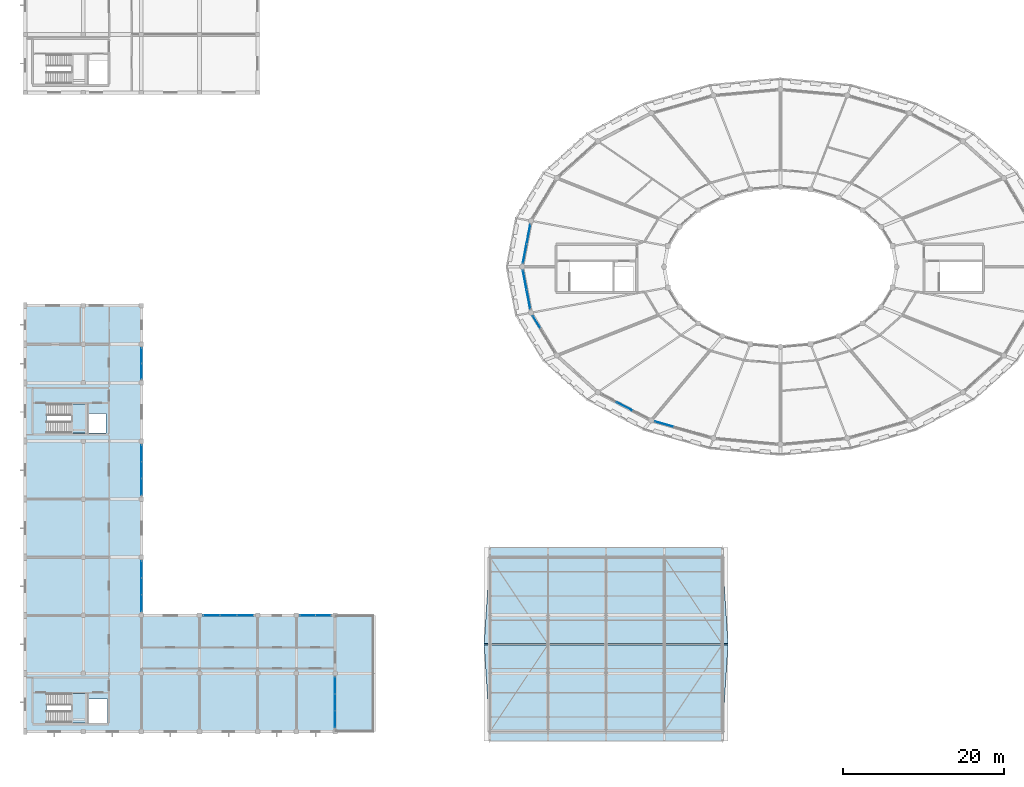
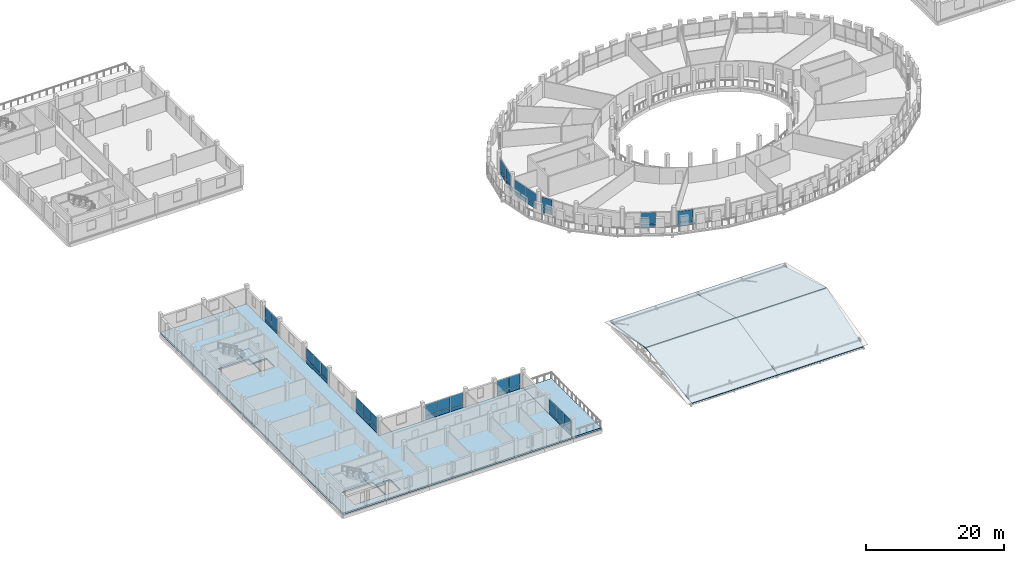
# One storey, part 60 of 84: 46 plates, 8 slabs, 13 elements without a shape of their own.
"""IFC4 building model written with IfcOpenShell, lengths in metres."""

from ifc_helpers import new_model, si_unit, direction, frame, origin, origin_2d, place, context, subcontext, project, spatial, polyline, rectangle, outline, extrude, material, layer, layer_set, type_object, element, aggregate, save


model = new_model("IFC4")

# Units and contexts
model_context = context("Model", 3, precision=1e-05, world=origin(), true_north=direction((0.0, 1.0)))
body_context = subcontext(model_context, "Body", "Model", "MODEL_VIEW")
ifc_project = project(units=[si_unit("LENGTHUNIT", "METRE"), si_unit("AREAUNIT", "SQUARE_METRE"), si_unit("VOLUMEUNIT", "CUBIC_METRE"), si_unit("PLANEANGLEUNIT", "RADIAN"), si_unit("MASSUNIT", "GRAM", prefix="KILO")], contexts=[model_context])

# Site, building, storey
site_placement = place(None, origin())
site = spatial("IfcSite", under=ifc_project, at=site_placement, CompositionType="ELEMENT")
building_placement = place(site_placement, origin())
building = spatial("IfcBuilding", under=site, at=building_placement, Name="Zornivar Specialist Clinic", CompositionType="ELEMENT")
storey_placement = place(building_placement, frame((0.0, 0.0, 12.300048828125)))
storey = spatial("IfcBuildingStorey", under=building, at=storey_placement, Name="L03", CompositionType="ELEMENT", Elevation=12.300048828125)

# Curtain wall, plate
ifc_material_1 = material(Name="Aluminium and Low-E Glass Curtain Wall", Category="aluminium")
curtain_wall_type_1 = type_object("IfcCurtainWallType", Name="CW-DRUM-FACET", PredefinedType="NOTDEFINED", material=ifc_material_1)
curtain_wall_1_placement = place(storey_placement, origin())
curtain_wall_1 = element("IfcCurtainWall", 1, at=curtain_wall_1_placement, inside=storey, type_object=curtain_wall_type_1, Name="cw:V1:L03:c15", PredefinedType="NOTDEFINED")
ifc_material_2 = material(Name="Insulated Bronze Spandrel Panel")
ifc_layer_1 = layer(ifc_material_2, 0.048095703125)
ifc_layer_set_1 = layer_set([ifc_layer_1], Name="Insulated Bronze Spandrel Panel")
plate_type_1 = type_object("IfcPlateType", Name="CWP-SPN-A", PredefinedType="CURTAIN_PANEL", material=ifc_layer_set_1)
plate_1_placement = place(storey_placement, frame((74.287109375, 40.2958984375, 0.030517578125), z_axis=(0.0, 0.0, 1.0), x_axis=(0.884383019078, -0.46676190458, 0.0)))
plate_1 = element("IfcPlate", 2, at=plate_1_placement, type_object=plate_type_1, Name="cw:V1:L03:c15:spn:1", PredefinedType="CURTAIN_PANEL", context=body_context, shape_type="SweptSolid", body=[
    extrude(rectangle(XDim=2.10791015625, YDim=0.048095703125, at=origin_2d()), origin(), (0.0, 0.0, 1.0), 0.6708984375),
])

curtain_wall_2_placement = place(storey_placement, origin())
curtain_wall_2 = element("IfcCurtainWall", 3, at=curtain_wall_2_placement, inside=storey, type_object=curtain_wall_type_1, Name="cw:V1:L03:c16", PredefinedType="NOTDEFINED")
ifc_material_3 = material(Name="Insulated Bronze Spandrel Panel")
ifc_layer_2 = layer(ifc_material_3, 0.048095703125)
ifc_layer_set_2 = layer_set([ifc_layer_2], Name="Insulated Bronze Spandrel Panel")
plate_type_2 = type_object("IfcPlateType", Name="CWP-SPN-B", PredefinedType="CURTAIN_PANEL", material=ifc_layer_set_2)
plate_2_placement = place(storey_placement, frame((79.194091796875, 38.093994140625, 0.030517578125), z_axis=(0.0, 0.0, 1.0), x_axis=(0.961761244933, -0.273889225319, 0.0)))
plate_2 = element("IfcPlate", 4, at=plate_2_placement, type_object=plate_type_2, Name="cw:V1:L03:c16:spn:0", PredefinedType="CURTAIN_PANEL", context=body_context, shape_type="SweptSolid", body=[
    extrude(rectangle(XDim=2.284912109375, YDim=0.048095703125, at=origin_2d()), origin(), (0.0, 0.0, 1.0), 0.6708984375),
])

# Curtain wall, plates
curtain_wall_3_placement = place(storey_placement, origin())
curtain_wall_3 = element("IfcCurtainWall", 5, at=curtain_wall_3_placement, inside=storey, type_object=curtain_wall_type_1, Name="cw:V1:L03:c11", PredefinedType="NOTDEFINED")
ifc_material_4 = material(Name="Insulated Bronze Spandrel Panel")
ifc_layer_3 = layer(ifc_material_4, 0.048095703125)
ifc_layer_set_3 = layer_set([ifc_layer_3], Name="Insulated Bronze Spandrel Panel")
plate_type_3 = type_object("IfcPlateType", Name="CWP-SPN-C", PredefinedType="CURTAIN_PANEL", material=ifc_layer_set_3)
plate_3_placement = place(storey_placement, frame((62.3720703125, 61.635009765625, 0.030517578125), z_axis=(0.0, 0.0, 1.0), x_axis=(-0.187896976838, -0.982188742602, 0.0)))
plate_3 = element("IfcPlate", 6, at=plate_3_placement, type_object=plate_type_3, Name="cw:V1:L03:c11:spn:0", PredefinedType="CURTAIN_PANEL", context=body_context, shape_type="SweptSolid", body=[
    extrude(rectangle(XDim=2.34912109375, YDim=0.048095703125, at=origin_2d()), origin(), (0.0, 0.0, 1.0), 0.6708984375),
])
plate_4_placement = place(storey_placement, frame((61.9169921875, 59.259033203125, 0.030517578125), z_axis=(0.0, 0.0, 1.0), x_axis=(-0.187896976838, -0.982188742602, 0.0)))
plate_4 = element("IfcPlate", 7, at=plate_4_placement, type_object=plate_type_3, Name="cw:V1:L03:c11:spn:1", PredefinedType="CURTAIN_PANEL", context=body_context, shape_type="SweptSolid", body=[
    extrude(rectangle(XDim=2.34912109375, YDim=0.048095703125, at=origin_2d()), origin(), (0.0, 0.0, 1.0), 0.6708984375),
])

curtain_wall_4_placement = place(storey_placement, origin())
curtain_wall_4 = element("IfcCurtainWall", 8, at=curtain_wall_4_placement, inside=storey, type_object=curtain_wall_type_1, Name="cw:V1:L03:c12", PredefinedType="NOTDEFINED")
ifc_material_5 = material(Name="Insulated Limestone-Faced Spandrel Panel", Category="masonry")
ifc_layer_4 = layer(ifc_material_5, 0.05810546875)
ifc_layer_set_4 = layer_set([ifc_layer_4], Name="Insulated Limestone-Faced Spandrel Panel")
plate_type_4 = type_object("IfcPlateType", Name="CWP-SPN-D", PredefinedType="CURTAIN_PANEL", material=ifc_layer_set_4)
plate_5_placement = place(storey_placement, frame((61.91796875, 55.94091796875, 0.030517578125), z_axis=(0.0, 0.0, 1.0), x_axis=(0.187896976838, -0.982188742602, 0.0)))
plate_5 = element("IfcPlate", 9, at=plate_5_placement, type_object=plate_type_4, Name="cw:V1:L03:c12:spn:0", PredefinedType="CURTAIN_PANEL", context=body_context, shape_type="SweptSolid", body=[
    extrude(rectangle(XDim=2.34912109375, YDim=0.05810546875, at=origin_2d()), origin(), (0.0, 0.0, 1.0), 0.6708984375),
])
plate_6_placement = place(storey_placement, frame((62.373046875, 53.56494140625, 0.030517578125), z_axis=(0.0, 0.0, 1.0), x_axis=(0.187896976838, -0.982188742602, 0.0)))
plate_6 = element("IfcPlate", 10, at=plate_6_placement, type_object=plate_type_4, Name="cw:V1:L03:c12:spn:1", PredefinedType="CURTAIN_PANEL", context=body_context, shape_type="SweptSolid", body=[
    extrude(rectangle(XDim=2.34912109375, YDim=0.05810546875, at=origin_2d()), origin(), (0.0, 0.0, 1.0), 0.6708984375),
])

ifc_material_6 = material(Name="Aluminium and Low-E Glass Curtain Wall", Category="aluminium")
curtain_wall_type_2 = type_object("IfcCurtainWallType", Name="CW-REVAK-COURT", PredefinedType="NOTDEFINED", material=ifc_material_6)
curtain_wall_5_placement = place(storey_placement, origin())
curtain_wall_5 = element("IfcCurtainWall", 11, at=curtain_wall_5_placement, inside=storey, type_object=curtain_wall_type_2, Name="cw:V2:L03:06", PredefinedType="NOTDEFINED")
plate_7_placement = place(storey_placement, frame((38.39990234375, 1.52001953125, 0.02978515625), z_axis=(0.0, 0.0, 1.0), x_axis=(0.0, 1.0, 0.0)))
plate_7 = element("IfcPlate", 12, at=plate_7_placement, type_object=plate_type_4, Name="cw:V2:L03:06:spn:0", PredefinedType="CURTAIN_PANEL", context=body_context, shape_type="SweptSolid", body=[
    extrude(rectangle(XDim=2.010009765625, YDim=0.05810546875, at=origin_2d()), origin(), (0.0, 0.0, 1.0), 0.657958984375),
])
plate_8_placement = place(storey_placement, frame((38.39990234375, 3.60009765625, 0.02978515625), z_axis=(0.0, 0.0, 1.0), x_axis=(0.0, 1.0, 0.0)))
plate_8 = element("IfcPlate", 13, at=plate_8_placement, type_object=plate_type_4, Name="cw:V2:L03:06:spn:1", PredefinedType="CURTAIN_PANEL", context=body_context, shape_type="SweptSolid", body=[
    extrude(rectangle(XDim=2.010009765625, YDim=0.05810546875, at=origin_2d()), origin(), (0.0, 0.0, 1.0), 0.657958984375),
])
plate_9_placement = place(storey_placement, frame((38.39990234375, 5.679931640625, 0.02978515625), z_axis=(0.0, 0.0, 1.0), x_axis=(0.0, 1.0, 0.0)))
plate_9 = element("IfcPlate", 14, at=plate_9_placement, type_object=plate_type_4, Name="cw:V2:L03:06:spn:2", PredefinedType="CURTAIN_PANEL", context=body_context, shape_type="SweptSolid", body=[
    extrude(rectangle(XDim=2.010009765625, YDim=0.05810546875, at=origin_2d()), origin(), (0.0, 0.0, 1.0), 0.657958984375),
])

curtain_wall_6_placement = place(storey_placement, origin())
curtain_wall_6 = element("IfcCurtainWall", 15, at=curtain_wall_6_placement, inside=storey, type_object=curtain_wall_type_2, Name="cw:V2:L03:08", PredefinedType="NOTDEFINED")
plate_10_placement = place(storey_placement, frame((36.9599609375, 14.39990234375, 0.02978515625), z_axis=(0.0, 0.0, 1.0), x_axis=(-1.0, 0.0, 0.0)))
plate_10 = element("IfcPlate", 16, at=plate_10_placement, type_object=plate_type_4, Name="cw:V2:L03:08:spn:0", PredefinedType="CURTAIN_PANEL", context=body_context, shape_type="SweptSolid", body=[
    extrude(rectangle(XDim=1.85009765625, YDim=0.05810546875, at=origin_2d()), origin(), (0.0, 0.0, 1.0), 0.657958984375),
])
plate_11_placement = place(storey_placement, frame((35.0400390625, 14.39990234375, 0.02978515625), z_axis=(0.0, 0.0, 1.0), x_axis=(-1.0, 0.0, 0.0)))
plate_11 = element("IfcPlate", 17, at=plate_11_placement, type_object=plate_type_4, Name="cw:V2:L03:08:spn:1", PredefinedType="CURTAIN_PANEL", context=body_context, shape_type="SweptSolid", body=[
    extrude(rectangle(XDim=1.85009765625, YDim=0.05810546875, at=origin_2d()), origin(), (0.0, 0.0, 1.0), 0.657958984375),
])

curtain_wall_7_placement = place(storey_placement, origin())
curtain_wall_7 = element("IfcCurtainWall", 18, at=curtain_wall_7_placement, inside=storey, type_object=curtain_wall_type_2, Name="cw:V2:L03:10", PredefinedType="NOTDEFINED")
plate_12_placement = place(storey_placement, frame((27.280029296875, 14.39990234375, 0.02978515625), z_axis=(0.0, 0.0, 1.0), x_axis=(-1.0, 0.0, 0.0)))
plate_12 = element("IfcPlate", 19, at=plate_12_placement, type_object=plate_type_4, Name="cw:V2:L03:10:spn:0", PredefinedType="CURTAIN_PANEL", context=body_context, shape_type="SweptSolid", body=[
    extrude(rectangle(XDim=2.010009765625, YDim=0.05810546875, at=origin_2d()), origin(), (0.0, 0.0, 1.0), 0.657958984375),
])
plate_13_placement = place(storey_placement, frame((25.199951171875, 14.39990234375, 0.02978515625), z_axis=(0.0, 0.0, 1.0), x_axis=(-1.0, 0.0, 0.0)))
plate_13 = element("IfcPlate", 20, at=plate_13_placement, type_object=plate_type_4, Name="cw:V2:L03:10:spn:1", PredefinedType="CURTAIN_PANEL", context=body_context, shape_type="SweptSolid", body=[
    extrude(rectangle(XDim=2.010009765625, YDim=0.05810546875, at=origin_2d()), origin(), (0.0, 0.0, 1.0), 0.657958984375),
])
plate_14_placement = place(storey_placement, frame((23.1201171875, 14.39990234375, 0.02978515625), z_axis=(0.0, 0.0, 1.0), x_axis=(-1.0, 0.0, 0.0)))
plate_14 = element("IfcPlate", 21, at=plate_14_placement, type_object=plate_type_4, Name="cw:V2:L03:10:spn:2", PredefinedType="CURTAIN_PANEL", context=body_context, shape_type="SweptSolid", body=[
    extrude(rectangle(XDim=2.010009765625, YDim=0.05810546875, at=origin_2d()), origin(), (0.0, 0.0, 1.0), 0.657958984375),
])

curtain_wall_8_placement = place(storey_placement, origin())
curtain_wall_8 = element("IfcCurtainWall", 22, at=curtain_wall_8_placement, inside=storey, type_object=curtain_wall_type_2, Name="cw:V2:L03:12", PredefinedType="NOTDEFINED")
plate_15_placement = place(storey_placement, frame((14.39990234375, 15.919921875, 0.02978515625), z_axis=(0.0, 0.0, 1.0), x_axis=(0.0, 1.0, 0.0)))
plate_15 = element("IfcPlate", 23, at=plate_15_placement, type_object=plate_type_4, Name="cw:V2:L03:12:spn:0", PredefinedType="CURTAIN_PANEL", context=body_context, shape_type="SweptSolid", body=[
    extrude(rectangle(XDim=2.010009765625, YDim=0.05810546875, at=origin_2d()), origin(), (0.0, 0.0, 1.0), 0.657958984375),
])
plate_16_placement = place(storey_placement, frame((14.39990234375, 18.0, 0.02978515625), z_axis=(0.0, 0.0, 1.0), x_axis=(0.0, 1.0, 0.0)))
plate_16 = element("IfcPlate", 24, at=plate_16_placement, type_object=plate_type_4, Name="cw:V2:L03:12:spn:1", PredefinedType="CURTAIN_PANEL", context=body_context, shape_type="SweptSolid", body=[
    extrude(rectangle(XDim=2.010009765625, YDim=0.05810546875, at=origin_2d()), origin(), (0.0, 0.0, 1.0), 0.657958984375),
])
plate_17_placement = place(storey_placement, frame((14.39990234375, 20.080078125, 0.02978515625), z_axis=(0.0, 0.0, 1.0), x_axis=(0.0, 1.0, 0.0)))
plate_17 = element("IfcPlate", 25, at=plate_17_placement, type_object=plate_type_4, Name="cw:V2:L03:12:spn:2", PredefinedType="CURTAIN_PANEL", context=body_context, shape_type="SweptSolid", body=[
    extrude(rectangle(XDim=2.010009765625, YDim=0.05810546875, at=origin_2d()), origin(), (0.0, 0.0, 1.0), 0.657958984375),
])

curtain_wall_9_placement = place(storey_placement, origin())
curtain_wall_9 = element("IfcCurtainWall", 26, at=curtain_wall_9_placement, inside=storey, type_object=curtain_wall_type_2, Name="cw:V2:L03:14", PredefinedType="NOTDEFINED")
plate_18_placement = place(storey_placement, frame((14.39990234375, 30.320068359375, 0.02978515625), z_axis=(0.0, 0.0, 1.0), x_axis=(0.0, 1.0, 0.0)))
plate_18 = element("IfcPlate", 27, at=plate_18_placement, type_object=plate_type_4, Name="cw:V2:L03:14:spn:0", PredefinedType="CURTAIN_PANEL", context=body_context, shape_type="SweptSolid", body=[
    extrude(rectangle(XDim=2.010009765625, YDim=0.05810546875, at=origin_2d()), origin(), (0.0, 0.0, 1.0), 0.657958984375),
])
plate_19_placement = place(storey_placement, frame((14.39990234375, 32.39990234375, 0.02978515625), z_axis=(0.0, 0.0, 1.0), x_axis=(0.0, 1.0, 0.0)))
plate_19 = element("IfcPlate", 28, at=plate_19_placement, type_object=plate_type_4, Name="cw:V2:L03:14:spn:1", PredefinedType="CURTAIN_PANEL", context=body_context, shape_type="SweptSolid", body=[
    extrude(rectangle(XDim=2.010009765625, YDim=0.05810546875, at=origin_2d()), origin(), (0.0, 0.0, 1.0), 0.657958984375),
])
plate_20_placement = place(storey_placement, frame((14.39990234375, 34.47998046875, 0.02978515625), z_axis=(0.0, 0.0, 1.0), x_axis=(0.0, 1.0, 0.0)))
plate_20 = element("IfcPlate", 29, at=plate_20_placement, type_object=plate_type_4, Name="cw:V2:L03:14:spn:2", PredefinedType="CURTAIN_PANEL", context=body_context, shape_type="SweptSolid", body=[
    extrude(rectangle(XDim=2.010009765625, YDim=0.05810546875, at=origin_2d()), origin(), (0.0, 0.0, 1.0), 0.657958984375),
])

curtain_wall_10_placement = place(storey_placement, origin())
curtain_wall_10 = element("IfcCurtainWall", 30, at=curtain_wall_10_placement, inside=storey, type_object=curtain_wall_type_2, Name="cw:V2:L03:16", PredefinedType="NOTDEFINED")
plate_21_placement = place(storey_placement, frame((14.39990234375, 44.639892578125, 0.02978515625), z_axis=(0.0, 0.0, 1.0), x_axis=(0.0, 1.0, 0.0)))
plate_21 = element("IfcPlate", 31, at=plate_21_placement, type_object=plate_type_4, Name="cw:V2:L03:16:spn:0", PredefinedType="CURTAIN_PANEL", context=body_context, shape_type="SweptSolid", body=[
    extrude(rectangle(XDim=1.85009765625, YDim=0.05810546875, at=origin_2d()), origin(), (0.0, 0.0, 1.0), 0.657958984375),
])
plate_22_placement = place(storey_placement, frame((14.39990234375, 46.56005859375, 0.02978515625), z_axis=(0.0, 0.0, 1.0), x_axis=(0.0, 1.0, 0.0)))
plate_22 = element("IfcPlate", 32, at=plate_22_placement, type_object=plate_type_4, Name="cw:V2:L03:16:spn:1", PredefinedType="CURTAIN_PANEL", context=body_context, shape_type="SweptSolid", body=[
    extrude(rectangle(XDim=1.85009765625, YDim=0.05810546875, at=origin_2d()), origin(), (0.0, 0.0, 1.0), 0.657958984375),
])

# Curtain wall, plate
curtain_wall_11_placement = place(storey_placement, origin())
curtain_wall_11 = element("IfcCurtainWall", 33, at=curtain_wall_11_placement, inside=storey, type_object=curtain_wall_type_1, Name="cw:V1:L03:c13", PredefinedType="NOTDEFINED")
ifc_material_7 = material(Name="Insulated Bronze Spandrel Panel")
ifc_layer_5 = layer(ifc_material_7, 0.0458984375)
ifc_layer_set_5 = layer_set([ifc_layer_5], Name="Insulated Bronze Spandrel Panel")
plate_type_5 = type_object("IfcPlateType", Name="CWP-SPN-E", PredefinedType="CURTAIN_PANEL", material=ifc_layer_set_5)
plate_23_placement = place(storey_placement, frame((63.387939453125, 50.7470703125, 0.030517578125), z_axis=(0.0, 0.0, 1.0), x_axis=(0.516127401954, -0.856511824175, 0.0)))
plate_23 = element("IfcPlate", 34, at=plate_23_placement, type_object=plate_type_5, Name="cw:V1:L03:c13:spn:0", PredefinedType="CURTAIN_PANEL", context=body_context, shape_type="SweptSolid", body=[
    extrude(rectangle(XDim=1.675048828125, YDim=0.0458984375, at=origin_2d()), origin(), (0.0, 0.0, 1.0), 0.6708984375),
])

# Plate
ifc_material_8 = material(Name="Triple Low-E Vision Glass", Category="glass")
ifc_layer_6 = layer(ifc_material_8, 0.035888671875)
ifc_layer_set_6 = layer_set([ifc_layer_6], Name="Triple Low-E Vision Glass")
plate_type_6 = type_object("IfcPlateType", Name="CWP-VIS-E", PredefinedType="CURTAIN_PANEL", material=ifc_layer_set_6)
plate_24_placement = place(storey_placement, frame((62.3720703125, 61.635009765625, 0.76611328125), z_axis=(0.0, 0.0, 1.0), x_axis=(-0.187896976838, -0.982188742602, 0.0)))
plate_24 = element("IfcPlate", 35, at=plate_24_placement, type_object=plate_type_6, Name="cw:V1:L03:c11:vis:0", PredefinedType="CURTAIN_PANEL", context=body_context, shape_type="SweptSolid", body=[
    extrude(rectangle(XDim=2.34912109375, YDim=0.035888671875, at=origin_2d()), origin(), (0.0, 0.0, 1.0), 1.944091796875),
])

plate_25_placement = place(storey_placement, frame((61.9169921875, 59.259033203125, 0.76611328125), z_axis=(0.0, 0.0, 1.0), x_axis=(-0.187896976838, -0.982188742602, 0.0)))
plate_25 = element("IfcPlate", 36, at=plate_25_placement, type_object=plate_type_6, Name="cw:V1:L03:c11:vis:1", PredefinedType="CURTAIN_PANEL", context=body_context, shape_type="SweptSolid", body=[
    extrude(rectangle(XDim=2.34912109375, YDim=0.035888671875, at=origin_2d()), origin(), (0.0, 0.0, 1.0), 1.944091796875),
])

aggregate(curtain_wall_3, [plate_3, plate_24, plate_4, plate_25])

ifc_material_9 = material(Name="Triple Low-E Vision Glass", Category="glass")
ifc_layer_7 = layer(ifc_material_9, 0.035888671875)
ifc_layer_set_7 = layer_set([ifc_layer_7], Name="Triple Low-E Vision Glass")
plate_type_7 = type_object("IfcPlateType", Name="CWP-VIS-F", PredefinedType="CURTAIN_PANEL", material=ifc_layer_set_7)
plate_26_placement = place(storey_placement, frame((61.91796875, 55.94091796875, 0.76611328125), z_axis=(0.0, 0.0, 1.0), x_axis=(0.187896976838, -0.982188742602, 0.0)))
plate_26 = element("IfcPlate", 37, at=plate_26_placement, type_object=plate_type_7, Name="cw:V1:L03:c12:vis:0", PredefinedType="CURTAIN_PANEL", context=body_context, shape_type="SweptSolid", body=[
    extrude(rectangle(XDim=2.34912109375, YDim=0.035888671875, at=origin_2d()), origin(), (0.0, 0.0, 1.0), 1.944091796875),
])

plate_27_placement = place(storey_placement, frame((62.373046875, 53.56494140625, 0.76611328125), z_axis=(0.0, 0.0, 1.0), x_axis=(0.187896976838, -0.982188742602, 0.0)))
plate_27 = element("IfcPlate", 38, at=plate_27_placement, type_object=plate_type_7, Name="cw:V1:L03:c12:vis:1", PredefinedType="CURTAIN_PANEL", context=body_context, shape_type="SweptSolid", body=[
    extrude(rectangle(XDim=2.34912109375, YDim=0.035888671875, at=origin_2d()), origin(), (0.0, 0.0, 1.0), 1.944091796875),
])

aggregate(curtain_wall_4, [plate_5, plate_26, plate_6, plate_27])

plate_28_placement = place(storey_placement, frame((38.39990234375, 1.52001953125, 0.75244140625), z_axis=(0.0, 0.0, 1.0), x_axis=(0.0, 1.0, 0.0)))
plate_28 = element("IfcPlate", 39, at=plate_28_placement, type_object=plate_type_7, Name="cw:V2:L03:06:vis:0", PredefinedType="CURTAIN_PANEL", context=body_context, shape_type="SweptSolid", body=[
    extrude(rectangle(XDim=2.010009765625, YDim=0.035888671875, at=origin_2d()), origin(), (0.0, 0.0, 1.0), 1.906982421875),
])

plate_29_placement = place(storey_placement, frame((38.39990234375, 3.60009765625, 0.75244140625), z_axis=(0.0, 0.0, 1.0), x_axis=(0.0, 1.0, 0.0)))
plate_29 = element("IfcPlate", 40, at=plate_29_placement, type_object=plate_type_7, Name="cw:V2:L03:06:vis:1", PredefinedType="CURTAIN_PANEL", context=body_context, shape_type="SweptSolid", body=[
    extrude(rectangle(XDim=2.010009765625, YDim=0.035888671875, at=origin_2d()), origin(), (0.0, 0.0, 1.0), 1.906982421875),
])

plate_30_placement = place(storey_placement, frame((38.39990234375, 5.679931640625, 0.75244140625), z_axis=(0.0, 0.0, 1.0), x_axis=(0.0, 1.0, 0.0)))
plate_30 = element("IfcPlate", 41, at=plate_30_placement, type_object=plate_type_7, Name="cw:V2:L03:06:vis:2", PredefinedType="CURTAIN_PANEL", context=body_context, shape_type="SweptSolid", body=[
    extrude(rectangle(XDim=2.010009765625, YDim=0.035888671875, at=origin_2d()), origin(), (0.0, 0.0, 1.0), 1.906982421875),
])

aggregate(curtain_wall_5, [plate_7, plate_28, plate_8, plate_29, plate_9, plate_30])

plate_31_placement = place(storey_placement, frame((27.280029296875, 14.39990234375, 0.75244140625), z_axis=(0.0, 0.0, 1.0), x_axis=(-1.0, 0.0, 0.0)))
plate_31 = element("IfcPlate", 42, at=plate_31_placement, type_object=plate_type_7, Name="cw:V2:L03:10:vis:0", PredefinedType="CURTAIN_PANEL", context=body_context, shape_type="SweptSolid", body=[
    extrude(rectangle(XDim=2.010009765625, YDim=0.035888671875, at=origin_2d()), origin(), (0.0, 0.0, 1.0), 1.906982421875),
])

plate_32_placement = place(storey_placement, frame((25.199951171875, 14.39990234375, 0.75244140625), z_axis=(0.0, 0.0, 1.0), x_axis=(-1.0, 0.0, 0.0)))
plate_32 = element("IfcPlate", 43, at=plate_32_placement, type_object=plate_type_7, Name="cw:V2:L03:10:vis:1", PredefinedType="CURTAIN_PANEL", context=body_context, shape_type="SweptSolid", body=[
    extrude(rectangle(XDim=2.010009765625, YDim=0.035888671875, at=origin_2d()), origin(), (0.0, 0.0, 1.0), 1.906982421875),
])

plate_33_placement = place(storey_placement, frame((23.1201171875, 14.39990234375, 0.75244140625), z_axis=(0.0, 0.0, 1.0), x_axis=(-1.0, 0.0, 0.0)))
plate_33 = element("IfcPlate", 44, at=plate_33_placement, type_object=plate_type_7, Name="cw:V2:L03:10:vis:2", PredefinedType="CURTAIN_PANEL", context=body_context, shape_type="SweptSolid", body=[
    extrude(rectangle(XDim=2.010009765625, YDim=0.035888671875, at=origin_2d()), origin(), (0.0, 0.0, 1.0), 1.906982421875),
])

aggregate(curtain_wall_7, [plate_12, plate_31, plate_13, plate_32, plate_14, plate_33])

plate_34_placement = place(storey_placement, frame((14.39990234375, 30.320068359375, 0.75244140625), z_axis=(0.0, 0.0, 1.0), x_axis=(0.0, 1.0, 0.0)))
plate_34 = element("IfcPlate", 45, at=plate_34_placement, type_object=plate_type_7, Name="cw:V2:L03:14:vis:0", PredefinedType="CURTAIN_PANEL", context=body_context, shape_type="SweptSolid", body=[
    extrude(rectangle(XDim=2.010009765625, YDim=0.035888671875, at=origin_2d()), origin(), (0.0, 0.0, 1.0), 1.906982421875),
])

plate_35_placement = place(storey_placement, frame((14.39990234375, 32.39990234375, 0.75244140625), z_axis=(0.0, 0.0, 1.0), x_axis=(0.0, 1.0, 0.0)))
plate_35 = element("IfcPlate", 46, at=plate_35_placement, type_object=plate_type_7, Name="cw:V2:L03:14:vis:1", PredefinedType="CURTAIN_PANEL", context=body_context, shape_type="SweptSolid", body=[
    extrude(rectangle(XDim=2.010009765625, YDim=0.035888671875, at=origin_2d()), origin(), (0.0, 0.0, 1.0), 1.906982421875),
])

plate_36_placement = place(storey_placement, frame((14.39990234375, 34.47998046875, 0.75244140625), z_axis=(0.0, 0.0, 1.0), x_axis=(0.0, 1.0, 0.0)))
plate_36 = element("IfcPlate", 47, at=plate_36_placement, type_object=plate_type_7, Name="cw:V2:L03:14:vis:2", PredefinedType="CURTAIN_PANEL", context=body_context, shape_type="SweptSolid", body=[
    extrude(rectangle(XDim=2.010009765625, YDim=0.035888671875, at=origin_2d()), origin(), (0.0, 0.0, 1.0), 1.906982421875),
])

aggregate(curtain_wall_9, [plate_18, plate_34, plate_19, plate_35, plate_20, plate_36])

ifc_material_10 = material(Name="Triple Low-E Vision Glass", Category="glass")
ifc_layer_8 = layer(ifc_material_10, 0.035888671875)
ifc_layer_set_8 = layer_set([ifc_layer_8], Name="Triple Low-E Vision Glass")
plate_type_8 = type_object("IfcPlateType", Name="CWP-VIS-G", PredefinedType="CURTAIN_PANEL", material=ifc_layer_set_8)
plate_37_placement = place(storey_placement, frame((63.387939453125, 50.7470703125, 0.76611328125), z_axis=(0.0, 0.0, 1.0), x_axis=(0.516127401954, -0.856511824175, 0.0)))
plate_37 = element("IfcPlate", 48, at=plate_37_placement, type_object=plate_type_8, Name="cw:V1:L03:c13:vis:0", PredefinedType="CURTAIN_PANEL", context=body_context, shape_type="SweptSolid", body=[
    extrude(rectangle(XDim=1.675048828125, YDim=0.035888671875, at=origin_2d()), origin(), (0.0, 0.0, 1.0), 1.944091796875),
])

aggregate(curtain_wall_11, [plate_23, plate_37])

plate_38_placement = place(storey_placement, frame((36.9599609375, 14.39990234375, 0.75244140625), z_axis=(0.0, 0.0, 1.0), x_axis=(-1.0, 0.0, 0.0)))
plate_38 = element("IfcPlate", 49, at=plate_38_placement, type_object=plate_type_8, Name="cw:V2:L03:08:vis:0", PredefinedType="CURTAIN_PANEL", context=body_context, shape_type="SweptSolid", body=[
    extrude(rectangle(XDim=1.85009765625, YDim=0.035888671875, at=origin_2d()), origin(), (0.0, 0.0, 1.0), 1.906982421875),
])

plate_39_placement = place(storey_placement, frame((35.0400390625, 14.39990234375, 0.75244140625), z_axis=(0.0, 0.0, 1.0), x_axis=(-1.0, 0.0, 0.0)))
plate_39 = element("IfcPlate", 50, at=plate_39_placement, type_object=plate_type_8, Name="cw:V2:L03:08:vis:1", PredefinedType="CURTAIN_PANEL", context=body_context, shape_type="SweptSolid", body=[
    extrude(rectangle(XDim=1.85009765625, YDim=0.035888671875, at=origin_2d()), origin(), (0.0, 0.0, 1.0), 1.906982421875),
])

aggregate(curtain_wall_6, [plate_10, plate_38, plate_11, plate_39])

plate_40_placement = place(storey_placement, frame((14.39990234375, 15.919921875, 0.75244140625), z_axis=(0.0, 0.0, 1.0), x_axis=(0.0, 1.0, 0.0)))
plate_40 = element("IfcPlate", 51, at=plate_40_placement, type_object=plate_type_8, Name="cw:V2:L03:12:vis:0", PredefinedType="CURTAIN_PANEL", context=body_context, shape_type="SweptSolid", body=[
    extrude(rectangle(XDim=2.010009765625, YDim=0.035888671875, at=origin_2d()), origin(), (0.0, 0.0, 1.0), 1.906982421875),
])

plate_41_placement = place(storey_placement, frame((14.39990234375, 18.0, 0.75244140625), z_axis=(0.0, 0.0, 1.0), x_axis=(0.0, 1.0, 0.0)))
plate_41 = element("IfcPlate", 52, at=plate_41_placement, type_object=plate_type_8, Name="cw:V2:L03:12:vis:1", PredefinedType="CURTAIN_PANEL", context=body_context, shape_type="SweptSolid", body=[
    extrude(rectangle(XDim=2.010009765625, YDim=0.035888671875, at=origin_2d()), origin(), (0.0, 0.0, 1.0), 1.906982421875),
])

plate_42_placement = place(storey_placement, frame((14.39990234375, 20.080078125, 0.75244140625), z_axis=(0.0, 0.0, 1.0), x_axis=(0.0, 1.0, 0.0)))
plate_42 = element("IfcPlate", 53, at=plate_42_placement, type_object=plate_type_8, Name="cw:V2:L03:12:vis:2", PredefinedType="CURTAIN_PANEL", context=body_context, shape_type="SweptSolid", body=[
    extrude(rectangle(XDim=2.010009765625, YDim=0.035888671875, at=origin_2d()), origin(), (0.0, 0.0, 1.0), 1.906982421875),
])

aggregate(curtain_wall_8, [plate_15, plate_40, plate_16, plate_41, plate_17, plate_42])

plate_43_placement = place(storey_placement, frame((14.39990234375, 44.639892578125, 0.75244140625), z_axis=(0.0, 0.0, 1.0), x_axis=(0.0, 1.0, 0.0)))
plate_43 = element("IfcPlate", 54, at=plate_43_placement, type_object=plate_type_8, Name="cw:V2:L03:16:vis:0", PredefinedType="CURTAIN_PANEL", context=body_context, shape_type="SweptSolid", body=[
    extrude(rectangle(XDim=1.85009765625, YDim=0.035888671875, at=origin_2d()), origin(), (0.0, 0.0, 1.0), 1.906982421875),
])

plate_44_placement = place(storey_placement, frame((14.39990234375, 46.56005859375, 0.75244140625), z_axis=(0.0, 0.0, 1.0), x_axis=(0.0, 1.0, 0.0)))
plate_44 = element("IfcPlate", 55, at=plate_44_placement, type_object=plate_type_8, Name="cw:V2:L03:16:vis:1", PredefinedType="CURTAIN_PANEL", context=body_context, shape_type="SweptSolid", body=[
    extrude(rectangle(XDim=1.85009765625, YDim=0.035888671875, at=origin_2d()), origin(), (0.0, 0.0, 1.0), 1.906982421875),
])

aggregate(curtain_wall_10, [plate_21, plate_43, plate_22, plate_44])

ifc_material_11 = material(Name="Triple Low-E Vision Glass", Category="glass")
ifc_layer_9 = layer(ifc_material_11, 0.033935546875)
ifc_layer_set_9 = layer_set([ifc_layer_9], Name="Triple Low-E Vision Glass")
plate_type_9 = type_object("IfcPlateType", Name="CWP-VIS-J", PredefinedType="CURTAIN_PANEL", material=ifc_layer_set_9)
plate_45_placement = place(storey_placement, frame((74.287109375, 40.2958984375, 0.76611328125), z_axis=(0.0, 0.0, 1.0), x_axis=(0.884383019078, -0.46676190458, 0.0)))
plate_45 = element("IfcPlate", 56, at=plate_45_placement, type_object=plate_type_9, Name="cw:V1:L03:c15:vis:1", PredefinedType="CURTAIN_PANEL", context=body_context, shape_type="SweptSolid", body=[
    extrude(rectangle(XDim=2.10791015625, YDim=0.033935546875, at=origin_2d()), origin(), (0.0, 0.0, 1.0), 1.944091796875),
])

aggregate(curtain_wall_1, [plate_1, plate_45])

ifc_material_12 = material(Name="Solar-Control Wintergarden Glass", Category="glass")
ifc_layer_10 = layer(ifc_material_12, 0.0380859375)
ifc_layer_set_10 = layer_set([ifc_layer_10], Name="Solar-Control Wintergarden Glass")
plate_type_10 = type_object("IfcPlateType", Name="CWP-VIS-L", PredefinedType="CURTAIN_PANEL", material=ifc_layer_set_10)
plate_46_placement = place(storey_placement, frame((79.194091796875, 38.093994140625, 0.76611328125), z_axis=(0.0, 0.0, 1.0), x_axis=(0.961761244933, -0.273889225319, 0.0)))
plate_46 = element("IfcPlate", 57, at=plate_46_placement, type_object=plate_type_10, Name="cw:V1:L03:c16:vis:0", PredefinedType="CURTAIN_PANEL", context=body_context, shape_type="SweptSolid", body=[
    extrude(rectangle(XDim=2.284912109375, YDim=0.0380859375, at=origin_2d()), origin(), (0.0, 0.0, 1.0), 1.944091796875),
])

aggregate(curtain_wall_2, [plate_2, plate_46])

# Slabs
ifc_material_13 = material(Name="Concrete C30/37", Category="concrete")
ifc_layer_11 = layer(ifc_material_13, 0.280029296875)
ifc_layer_set_11 = layer_set([ifc_layer_11], Name="Concrete C30/37")
slab_type_1 = type_object("IfcSlabType", Name="SLB-EXT-TERR-280", PredefinedType="FLOOR", material=ifc_layer_set_11)
slab_1_placement = place(storey_placement, frame((0.0, 0.0, -0.280029296875)))
element("IfcSlab", 58, at=slab_1_placement, inside=storey, type_object=slab_type_1, Name="slab:V2:L03:terr:0", PredefinedType="FLOOR", context=body_context, shape_type="SweptSolid", body=[
    extrude(outline(polyline([(38.39990234375, 0.0), (43.199951171875, 0.0), (43.199951171875, 14.39990234375), (38.39990234375, 14.39990234375), (38.39990234375, 0.0)])), origin(), (0.0, 0.0, 1.0), 0.280029296875),
])
ifc_material_14 = material(Name="Concrete C30/37", Category="concrete")
ifc_layer_12 = layer(ifc_material_14, 0.280029296875)
ifc_layer_set_12 = layer_set([ifc_layer_12], Name="Concrete C30/37")
slab_type_2 = type_object("IfcSlabType", Name="SLB-FLR-280", PredefinedType="FLOOR", material=ifc_layer_set_12)
slab_2_placement = place(storey_placement, frame((0.0, 0.0, -0.280029296875)))
element("IfcSlab", 59, at=slab_2_placement, inside=storey, type_object=slab_type_2, Name="slab:V2:L03:main", PredefinedType="FLOOR", context=body_context, shape_type="SweptSolid", body=[
    extrude(outline(polyline([(0.0, 0.0), (38.39990234375, 0.0), (38.39990234375, 14.39990234375), (14.39990234375, 14.39990234375), (14.39990234375, 52.800048828125), (0.0, 52.800048828125), (0.0, 0.0)]), holes=[polyline([(2.6201171875, 1.10009765625), (7.699951171875, 1.10009765625), (7.699951171875, 4.699951171875), (2.6201171875, 4.699951171875), (2.6201171875, 1.10009765625)]), polyline([(7.800048828125, 1.0), (10.199951171875, 1.0), (10.199951171875, 4.0), (7.800048828125, 4.0), (7.800048828125, 1.0)]), polyline([(2.6201171875, 37.0), (7.699951171875, 37.0), (7.699951171875, 40.60009765625), (2.6201171875, 40.60009765625), (2.6201171875, 37.0)]), polyline([(7.800048828125, 37.0), (10.0, 37.0), (10.0, 39.39990234375), (7.800048828125, 39.39990234375), (7.800048828125, 37.0)])]), origin(), (0.0, 0.0, 1.0), 0.280029296875),
])

# Stair, slab
ifc_material_15 = material(Name="Concrete C30/37", Category="concrete")
stair_type = type_object("IfcStairType", Name="STR-CORE-UPPER-3700", PredefinedType="HALF_TURN_STAIR", material=ifc_material_15)
stair_1_placement = place(storey_placement, origin())
stair_1 = element("IfcStair", 60, at=stair_1_placement, inside=storey, type_object=stair_type, Name="stair:C1:L03", PredefinedType="HALF_TURN_STAIR")
ifc_material_16 = material(Name="Concrete C30/37", Category="concrete")
ifc_layer_13 = layer(ifc_material_16, 0.179931640625)
ifc_layer_set_13 = layer_set([ifc_layer_13], Name="Concrete C30/37")
slab_type_3 = type_object("IfcSlabType", Name="SLB-LANDING-180", PredefinedType="LANDING", material=ifc_layer_set_13)
slab_3_placement = place(storey_placement, frame((0.0, 0.0, 1.669921875)))
slab_3 = element("IfcSlab", 61, at=slab_3_placement, type_object=slab_type_3, Name="stair:C1:L03:land", PredefinedType="LANDING", context=body_context, shape_type="SweptSolid", body=[
    extrude(outline(polyline([(5.659912109375, 1.080078125), (7.719970703125, 1.080078125), (7.719970703125, 4.719970703125), (5.659912109375, 4.719970703125), (5.659912109375, 1.080078125)])), origin(), (0.0, 0.0, 1.0), 0.179931640625),
])
aggregate(stair_1, [slab_3])

stair_2_placement = place(storey_placement, origin())
stair_2 = element("IfcStair", 62, at=stair_2_placement, inside=storey, type_object=stair_type, Name="stair:C2:L03", PredefinedType="HALF_TURN_STAIR")
slab_4_placement = place(storey_placement, frame((0.0, 0.0, 1.669921875)))
slab_4 = element("IfcSlab", 63, at=slab_4_placement, type_object=slab_type_3, Name="stair:C2:L03:land", PredefinedType="LANDING", context=body_context, shape_type="SweptSolid", body=[
    extrude(outline(polyline([(5.659912109375, 36.97998046875), (7.719970703125, 36.97998046875), (7.719970703125, 40.6201171875), (5.659912109375, 40.6201171875), (5.659912109375, 36.97998046875)])), origin(), (0.0, 0.0, 1.0), 0.179931640625),
])
aggregate(stair_2, [slab_4])

# Slabs
ifc_material_17 = material(Name="Concrete C30/37", Category="concrete")
ifc_layer_14 = layer(ifc_material_17, 0.179931640625)
ifc_layer_set_14 = layer_set([ifc_layer_14], Name="Concrete C30/37")
slab_type_4 = type_object("IfcSlabType", Name="SLB-ROOF-PITCH-180", PredefinedType="ROOF", material=ifc_layer_set_14)
slab_5_placement = place(storey_placement, frame((57.679931640625, -1.199951171875, 0.0), z_axis=(0.0, -0.22722457131, 0.973842386731), x_axis=(1.0, 0.0, 0.0)))
element("IfcSlab", 64, at=slab_5_placement, inside=storey, type_object=slab_type_4, Name="slab:V3:L03:pitch:S:0", PredefinedType="ROOF", context=body_context, shape_type="SweptSolid", body=[
    extrude(outline(polyline([(0.0, 0.0), (14.320068359375, 0.0), (14.320068359375, 12.240093507347217), (-0.800048828125, 12.240093507347217), (0.0, 0.0)])), origin(), (0.0, 0.0, -1.0), 0.179931640625),
])
slab_6_placement = place(storey_placement, frame((56.8798828125, 10.8798828125, 2.78125), z_axis=(0.0, 0.227220157729, 0.973843416531), x_axis=(1.0, 0.0, 0.0)))
element("IfcSlab", 65, at=slab_6_placement, inside=storey, type_object=slab_type_4, Name="slab:V3:L03:pitch:N:0", PredefinedType="ROOF", context=body_context, shape_type="SweptSolid", body=[
    extrude(outline(polyline([(0.0, 0.0), (15.1201171875, 0.0), (15.1201171875, 12.240331261961874), (0.800048828125, 12.240331261961874), (0.0, 0.0)])), origin(), (0.0, 0.0, -1.0), 0.179931640625),
])
slab_7_placement = place(storey_placement, frame((72.0, -1.199951171875, 0.0), z_axis=(0.0, -0.22722457131, 0.973842386731), x_axis=(1.0, 0.0, 0.0)))
element("IfcSlab", 66, at=slab_7_placement, inside=storey, type_object=slab_type_4, Name="slab:V3:L03:pitch:S:1", PredefinedType="ROOF", context=body_context, shape_type="SweptSolid", body=[
    extrude(outline(polyline([(0.0, 0.0), (14.320068359375, 0.0), (15.1201171875, 12.240093507347217), (0.0, 12.240093507347217), (0.0, 0.0)])), origin(), (0.0, 0.0, -1.0), 0.179931640625),
])
slab_8_placement = place(storey_placement, frame((72.0, 10.8798828125, 2.78125), z_axis=(0.0, 0.227220157729, 0.973843416531), x_axis=(1.0, 0.0, 0.0)))
element("IfcSlab", 67, at=slab_8_placement, inside=storey, type_object=slab_type_4, Name="slab:V3:L03:pitch:N:1", PredefinedType="ROOF", context=body_context, shape_type="SweptSolid", body=[
    extrude(outline(polyline([(0.0, 0.0), (15.1201171875, 0.0), (14.320068359375, 12.240331261961874), (0.0, 12.240331261961874), (0.0, 0.0)])), origin(), (0.0, 0.0, -1.0), 0.179931640625),
])

save(model, "model.ifc")
